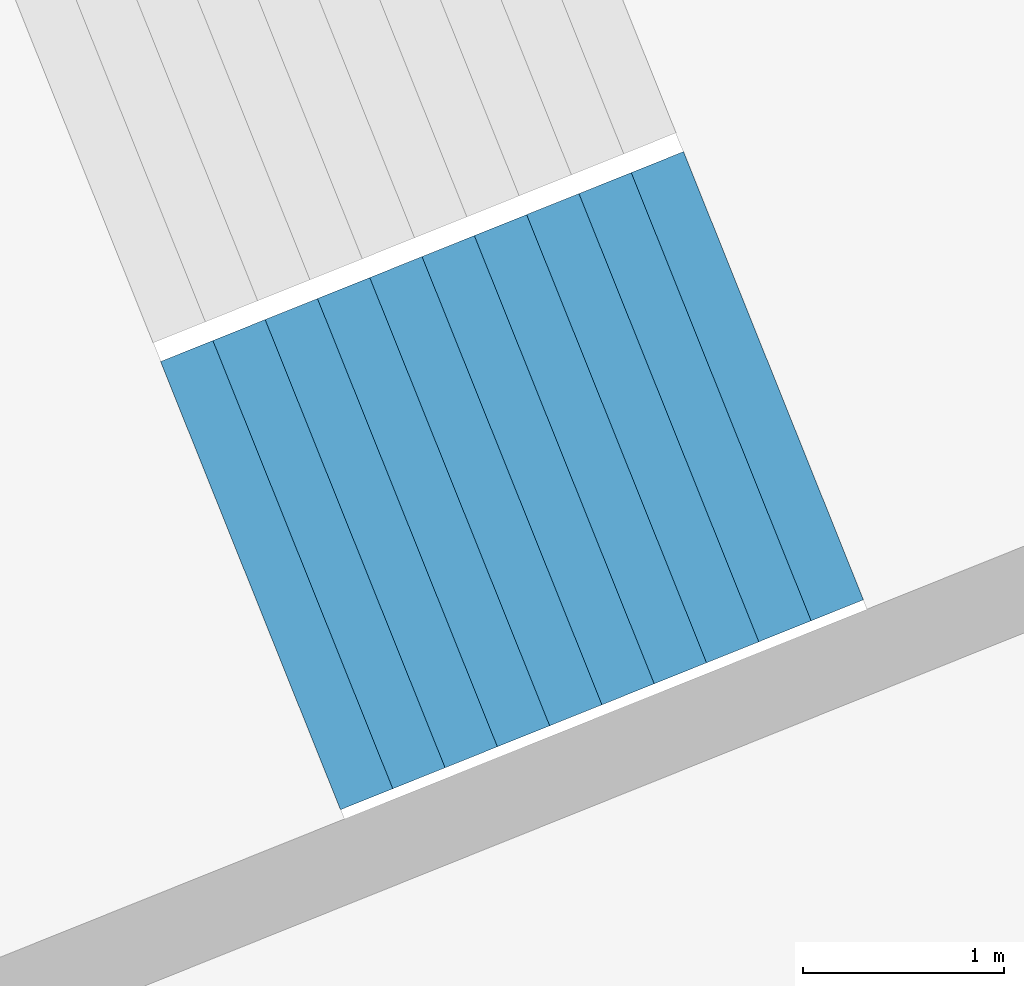
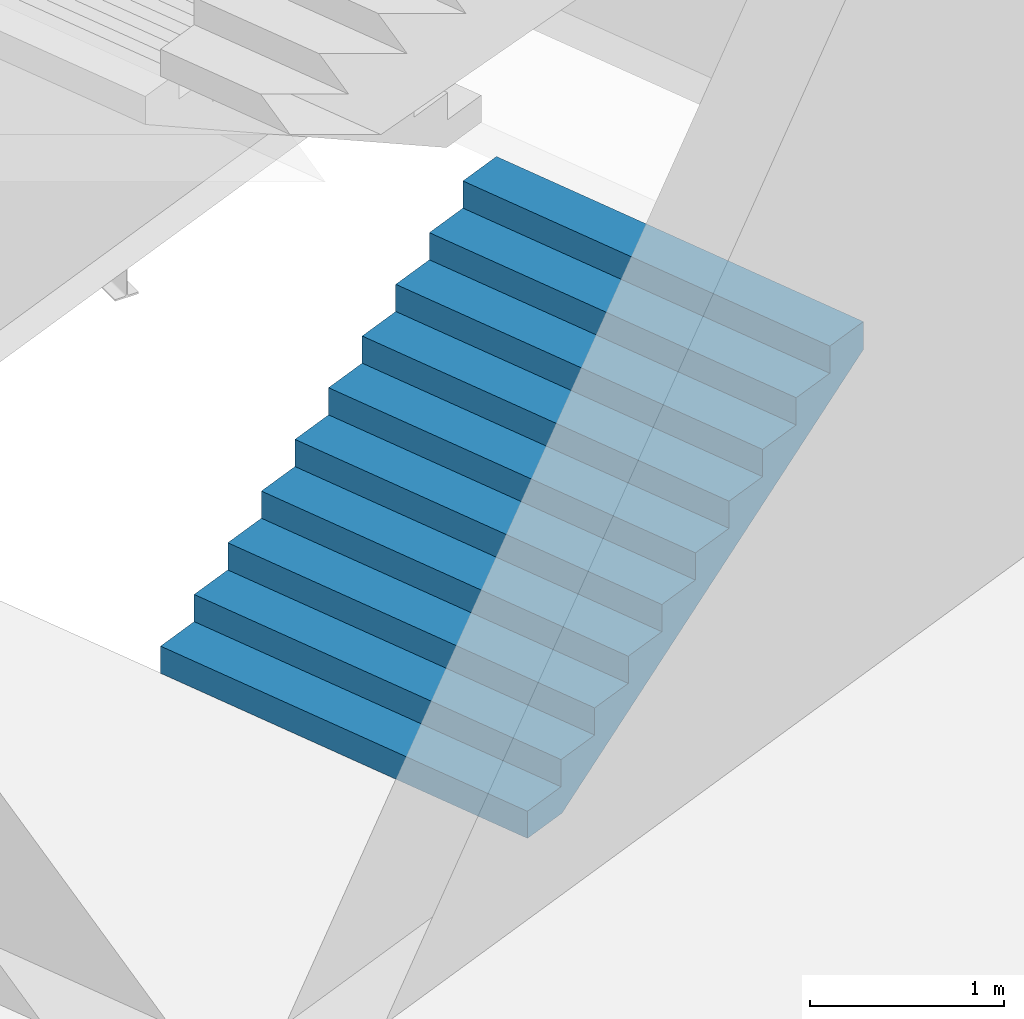
# One storey, part 65 of 73: 1 stair flight, 1 element without a shape of its own.
"""IFC4 building model written with IfcOpenShell, lengths in metres."""

from ifc_helpers import new_model, si_unit, direction, frame, origin, place, context, subcontext, project, spatial, triangles, material, type_object, element, aggregate, save


model = new_model("IFC4")

# Units and contexts
model_context = context("Model", 3, precision=1e-05, world=origin(), true_north=direction((0.0, 1.0)))
body_context = subcontext(model_context, "Body", "Model", "MODEL_VIEW")
ifc_project = project(units=[si_unit("LENGTHUNIT", "METRE"), si_unit("AREAUNIT", "SQUARE_METRE"), si_unit("VOLUMEUNIT", "CUBIC_METRE"), si_unit("PLANEANGLEUNIT", "RADIAN"), si_unit("MASSUNIT", "GRAM", prefix="KILO")], contexts=[model_context])

# Site, building, storey
site_placement = place(None, origin())
site = spatial("IfcSite", under=ifc_project, at=site_placement, CompositionType="ELEMENT")
building_placement = place(site_placement, origin())
building = spatial("IfcBuilding", under=site, at=building_placement, Name="Lantaw Convention Tower", CompositionType="ELEMENT")
storey_placement = place(building_placement, frame((0.0, 0.0, 14.5)))
storey = spatial("IfcBuildingStorey", under=building, at=storey_placement, Name="L02", CompositionType="ELEMENT", Elevation=14.5)

# Stair, stair flight
ifc_material = material(Name="Concrete C35/45", Category="concrete")
stair_type = type_object("IfcStairType", Name="Exit stair 2400 riser 170.45 in 4 flights", PredefinedType="HALF_TURN_STAIR", material=ifc_material)
stair_placement = place(storey_placement, origin())
stair = element("IfcStair", 1, at=stair_placement, inside=storey, type_object=stair_type, Name="Podium exit stair P2 L02", PredefinedType="HALF_TURN_STAIR")
stair_flight_type = type_object("IfcStairFlightType", Name="Stair flight 2400 riser 170.45", PredefinedType="STRAIGHT", material=ifc_material)
stair_flight_placement = place(storey_placement, frame((36.730712890625, 13.398193359375, 0.0), z_axis=(0.0, 0.0, 1.0), x_axis=(0.928015168305, 0.372542410198, 0.0)))
stair_flight = element("IfcStairFlight", 2, at=stair_flight_placement, type_object=stair_flight_type, Name="P2 flight 1", NumberOfRisers=11, NumberOfTreads=10, PredefinedType="STRAIGHT", RiserHeight=0.170454545, TreadLength=0.28, context=body_context, shape_type="Tessellation", body=[
    triangles([(0.0, 1.199951171875, 0.0), (0.0, 1.199951171875, 0.170454545), (0.28, 1.199951171875, 0.0), (0.28, 1.199951171875, 0.170454545), (0.28, 1.199951171875, 0.34090909), (0.28827876332691904, 1.199951171875, 0.0), (0.28827876332691904, 1.199951171875, 0.34090909), (0.56, 1.199951171875, 0.16541471344266906), (0.56, 1.199951171875, 0.34090909), (0.56, 1.199951171875, 0.511363635), (0.8400000000000001, 1.199951171875, 0.335869258442669), (0.8400000000000001, 1.199951171875, 0.511363635), (0.8400000000000001, 1.199951171875, 0.68181818), (1.12, 1.199951171875, 0.506323803442669), (1.12, 1.199951171875, 0.68181818), (1.12, 1.199951171875, 0.8522727250000001), (1.4000000000000001, 1.199951171875, 0.676778348442669), (1.4000000000000001, 1.199951171875, 0.8522727250000001), (1.4000000000000001, 1.199951171875, 1.02272727), (1.6800000000000002, 1.199951171875, 0.847232893442669), (1.6800000000000002, 1.199951171875, 1.02272727), (1.6800000000000002, 1.199951171875, 1.193181815), (1.9600000000000002, 1.199951171875, 1.017687438442669), (1.9600000000000002, 1.199951171875, 1.193181815), (1.9600000000000002, 1.199951171875, 1.36363636), (2.24, 1.199951171875, 1.188141983442669), (2.24, 1.199951171875, 1.36363636), (2.24, 1.199951171875, 1.5340909050000002), (2.5200000000000005, 1.199951171875, 1.358596528442669), (2.5200000000000005, 1.199951171875, 1.5340909050000002), (2.5200000000000005, 1.199951171875, 1.7045454500000001), (2.8000000000000003, 1.199951171875, 1.529051073442669), (2.8000000000000003, 1.199951171875, 1.7045454500000001), (0.0, -1.199951171875, 0.0), (0.0, -1.199951171875, 0.170454545), (0.28, -1.199951171875, 0.0), (0.28, -1.199951171875, 0.170454545), (0.28, -1.199951171875, 0.34090909), (0.28827876332691904, -1.199951171875, 0.0), (0.28827876332691904, -1.199951171875, 0.34090909), (0.56, -1.199951171875, 0.16541471344266906), (0.56, -1.199951171875, 0.34090909), (0.56, -1.199951171875, 0.511363635), (0.8400000000000001, -1.199951171875, 0.335869258442669), (0.8400000000000001, -1.199951171875, 0.511363635), (0.8400000000000001, -1.199951171875, 0.68181818), (1.12, -1.199951171875, 0.506323803442669), (1.12, -1.199951171875, 0.68181818), (1.12, -1.199951171875, 0.8522727250000001), (1.4000000000000001, -1.199951171875, 0.676778348442669), (1.4000000000000001, -1.199951171875, 0.8522727250000001), (1.4000000000000001, -1.199951171875, 1.02272727), (1.6800000000000002, -1.199951171875, 0.847232893442669), (1.6800000000000002, -1.199951171875, 1.02272727), (1.6800000000000002, -1.199951171875, 1.193181815), (1.9600000000000002, -1.199951171875, 1.017687438442669), (1.9600000000000002, -1.199951171875, 1.193181815), (1.9600000000000002, -1.199951171875, 1.36363636), (2.24, -1.199951171875, 1.188141983442669), (2.24, -1.199951171875, 1.36363636), (2.24, -1.199951171875, 1.5340909050000002), (2.5200000000000005, -1.199951171875, 1.358596528442669), (2.5200000000000005, -1.199951171875, 1.5340909050000002), (2.5200000000000005, -1.199951171875, 1.7045454500000001), (2.8000000000000003, -1.199951171875, 1.529051073442669), (2.8000000000000003, -1.199951171875, 1.7045454500000001), (0.0, 0.239990234375, 0.170454545), (0.0, 0.239990234375, 0.0), (0.0, 0.1199951171875, 0.170454545), (0.0, 0.1199951171875, 0.0), (0.0, 0.0, 0.170454545), (0.0, 0.0, 0.0), (0.0, -0.1199951171875, 0.170454545), (0.0, -0.1199951171875, 0.0), (0.0, -0.239990234375, 0.170454545), (0.0, -0.239990234375, 0.0), (0.28, 0.239990234375, 0.34090909), (0.28, 0.239990234375, 0.170454545), (0.28, 0.1199951171875, 0.34090909), (0.28, 0.1199951171875, 0.170454545), (0.28, 0.0, 0.34090909), (0.28, 0.0, 0.170454545), (0.28, -0.1199951171875, 0.34090909), (0.28, -0.1199951171875, 0.170454545), (0.28, -0.239990234375, 0.34090909), (0.28, -0.239990234375, 0.170454545), (0.56, 0.239990234375, 0.511363635), (0.56, 0.239990234375, 0.34090909), (0.56, 0.1199951171875, 0.511363635), (0.56, 0.1199951171875, 0.34090909), (0.56, 0.0, 0.511363635), (0.56, 0.0, 0.34090909), (0.56, -0.1199951171875, 0.511363635), (0.56, -0.1199951171875, 0.34090909), (0.56, -0.239990234375, 0.511363635), (0.56, -0.239990234375, 0.34090909), (0.8400000000000001, 0.239990234375, 0.68181818), (0.8400000000000001, 0.239990234375, 0.511363635), (0.8400000000000001, 0.1199951171875, 0.68181818), (0.8400000000000001, 0.1199951171875, 0.511363635), (0.8400000000000001, 0.0, 0.68181818), (0.8400000000000001, 0.0, 0.511363635), (0.8400000000000001, -0.1199951171875, 0.68181818), (0.8400000000000001, -0.1199951171875, 0.511363635), (0.8400000000000001, -0.239990234375, 0.68181818), (0.8400000000000001, -0.239990234375, 0.511363635), (1.12, 0.239990234375, 0.8522727250000001), (1.12, 0.239990234375, 0.68181818), (1.12, 0.1199951171875, 0.8522727250000001), (1.12, 0.1199951171875, 0.68181818), (1.12, 0.0, 0.8522727250000001), (1.12, 0.0, 0.68181818), (1.12, -0.1199951171875, 0.8522727250000001), (1.12, -0.1199951171875, 0.68181818), (1.12, -0.239990234375, 0.8522727250000001), (1.12, -0.239990234375, 0.68181818), (1.4000000000000001, 0.239990234375, 1.02272727), (1.4000000000000001, 0.239990234375, 0.8522727250000001), (1.4000000000000001, 0.1199951171875, 1.02272727), (1.4000000000000001, 0.1199951171875, 0.8522727250000001), (1.4000000000000001, 0.0, 1.02272727), (1.4000000000000001, 0.0, 0.8522727250000001), (1.4000000000000001, -0.1199951171875, 1.02272727), (1.4000000000000001, -0.1199951171875, 0.8522727250000001), (1.4000000000000001, -0.239990234375, 1.02272727), (1.4000000000000001, -0.239990234375, 0.8522727250000001), (1.6800000000000002, 0.239990234375, 1.193181815), (1.6800000000000002, 0.239990234375, 1.02272727), (1.6800000000000002, 0.1199951171875, 1.193181815), (1.6800000000000002, 0.1199951171875, 1.02272727), (1.6800000000000002, 0.0, 1.193181815), (1.6800000000000002, 0.0, 1.02272727), (1.6800000000000002, -0.1199951171875, 1.193181815), (1.6800000000000002, -0.1199951171875, 1.02272727), (1.6800000000000002, -0.239990234375, 1.193181815), (1.6800000000000002, -0.239990234375, 1.02272727), (1.9600000000000002, 0.239990234375, 1.36363636), (1.9600000000000002, 0.239990234375, 1.193181815), (1.9600000000000002, 0.1199951171875, 1.36363636), (1.9600000000000002, 0.1199951171875, 1.193181815), (1.9600000000000002, 0.0, 1.36363636), (1.9600000000000002, 0.0, 1.193181815), (1.9600000000000002, -0.1199951171875, 1.36363636), (1.9600000000000002, -0.1199951171875, 1.193181815), (1.9600000000000002, -0.239990234375, 1.36363636), (1.9600000000000002, -0.239990234375, 1.193181815), (2.24, 0.239990234375, 1.5340909050000002), (2.24, 0.239990234375, 1.36363636), (2.24, 0.1199951171875, 1.5340909050000002), (2.24, 0.1199951171875, 1.36363636), (2.24, 0.0, 1.5340909050000002), (2.24, 0.0, 1.36363636), (2.24, -0.1199951171875, 1.5340909050000002), (2.24, -0.1199951171875, 1.36363636), (2.24, -0.239990234375, 1.5340909050000002), (2.24, -0.239990234375, 1.36363636), (2.5200000000000005, 0.239990234375, 1.7045454500000001), (2.5200000000000005, 0.239990234375, 1.5340909050000002), (2.5200000000000005, 0.1199951171875, 1.7045454500000001), (2.5200000000000005, 0.1199951171875, 1.5340909050000002), (2.5200000000000005, 0.0, 1.7045454500000001), (2.5200000000000005, 0.0, 1.5340909050000002), (2.5200000000000005, -0.1199951171875, 1.7045454500000001), (2.5200000000000005, -0.1199951171875, 1.5340909050000002), (2.5200000000000005, -0.239990234375, 1.7045454500000001), (2.5200000000000005, -0.239990234375, 1.5340909050000002), (0.28827876332691904, 0.239990234375, 0.34090909), (0.28827876332691904, 0.1199951171875, 0.34090909), (0.28827876332691904, 0.0, 0.34090909), (0.28827876332691904, -0.1199951171875, 0.34090909), (0.28827876332691904, -0.239990234375, 0.34090909), (2.8000000000000003, 0.239990234375, 1.7045454500000001), (2.8000000000000003, 0.1199951171875, 1.7045454500000001), (2.8000000000000003, 0.0, 1.7045454500000001), (2.8000000000000003, -0.1199951171875, 1.7045454500000001), (2.8000000000000003, -0.239990234375, 1.7045454500000001), (2.8000000000000003, 0.239990234375, 1.5290510734426692), (2.8000000000000003, 0.1199951171875, 1.5290510734426692), (2.8000000000000003, 0.0, 1.5290510734426692), (2.8000000000000003, -0.1199951171875, 1.5290510734426692), (2.8000000000000003, -0.239990234375, 1.5290510734426692), (2.5200000000000005, 0.239990234375, 1.358596528442669), (2.5200000000000005, 0.1199951171875, 1.358596528442669), (2.5200000000000005, 0.0, 1.358596528442669), (2.5200000000000005, -0.1199951171875, 1.358596528442669), (2.5200000000000005, -0.239990234375, 1.358596528442669), (2.24, 0.239990234375, 1.188141983442669), (2.24, 0.1199951171875, 1.188141983442669), (2.24, 0.0, 1.188141983442669), (2.24, -0.1199951171875, 1.188141983442669), (2.24, -0.239990234375, 1.188141983442669), (1.9600000000000002, 0.239990234375, 1.017687438442669), (1.9600000000000002, 0.1199951171875, 1.017687438442669), (1.9600000000000002, 0.0, 1.017687438442669), (1.9600000000000002, -0.1199951171875, 1.017687438442669), (1.9600000000000002, -0.239990234375, 1.017687438442669), (1.6800000000000002, 0.239990234375, 0.847232893442669), (1.6800000000000002, 0.1199951171875, 0.847232893442669), (1.6800000000000002, 0.0, 0.847232893442669), (1.6800000000000002, -0.1199951171875, 0.847232893442669), (1.6800000000000002, -0.239990234375, 0.847232893442669), (1.4000000000000001, 0.239990234375, 0.676778348442669), (1.4000000000000001, 0.1199951171875, 0.676778348442669), (1.4000000000000001, 0.0, 0.676778348442669), (1.4000000000000001, -0.1199951171875, 0.676778348442669), (1.4000000000000001, -0.239990234375, 0.676778348442669), (1.12, 0.239990234375, 0.506323803442669), (1.12, 0.1199951171875, 0.506323803442669), (1.12, 0.0, 0.506323803442669), (1.12, -0.1199951171875, 0.506323803442669), (1.12, -0.239990234375, 0.506323803442669), (0.8400000000000001, 0.239990234375, 0.335869258442669), (0.8400000000000001, 0.1199951171875, 0.335869258442669), (0.8400000000000001, 0.0, 0.335869258442669), (0.8400000000000001, -0.1199951171875, 0.335869258442669), (0.8400000000000001, -0.239990234375, 0.335869258442669), (0.56, 0.239990234375, 0.16541471344266906), (0.56, 0.1199951171875, 0.16541471344266906), (0.56, 0.0, 0.16541471344266906), (0.56, -0.1199951171875, 0.16541471344266906), (0.56, -0.239990234375, 0.16541471344266906), (0.28827876332691904, 0.239990234375, 0.0), (0.28827876332691904, 0.1199951171875, 0.0), (0.28827876332691904, 0.0, 0.0), (0.28827876332691904, -0.1199951171875, 0.0), (0.28827876332691904, -0.239990234375, 0.0), (0.28, 0.239990234375, 0.0), (0.28, 0.1199951171875, 0.0), (0.28, 0.0, 0.0), (0.28, -0.1199951171875, 0.0), (0.28, -0.239990234375, 0.0)], [[1, 4, 3], [1, 2, 4], [3, 4, 6], [4, 7, 6], [4, 5, 7], [6, 9, 8], [6, 7, 9], [8, 9, 11], [9, 12, 11], [9, 10, 12], [11, 12, 14], [12, 15, 14], [12, 13, 15], [14, 15, 17], [15, 18, 17], [15, 16, 18], [17, 18, 20], [18, 21, 20], [18, 19, 21], [20, 21, 23], [21, 24, 23], [21, 22, 24], [23, 24, 26], [24, 27, 26], [24, 25, 27], [26, 27, 29], [27, 30, 29], [27, 28, 30], [29, 30, 32], [30, 33, 32], [30, 31, 33], [34, 36, 37], [34, 37, 35], [36, 39, 37], [37, 39, 40], [37, 40, 38], [39, 41, 42], [39, 42, 40], [41, 44, 42], [42, 44, 45], [42, 45, 43], [44, 47, 45], [45, 47, 48], [45, 48, 46], [47, 50, 48], [48, 50, 51], [48, 51, 49], [50, 53, 51], [51, 53, 54], [51, 54, 52], [53, 56, 54], [54, 56, 57], [54, 57, 55], [56, 59, 57], [57, 59, 60], [57, 60, 58], [59, 62, 60], [60, 62, 63], [60, 63, 61], [62, 65, 63], [63, 65, 66], [63, 66, 64], [1, 67, 2], [1, 68, 67], [68, 69, 67], [68, 70, 69], [70, 71, 69], [70, 72, 71], [72, 73, 71], [72, 74, 73], [74, 75, 73], [74, 76, 75], [76, 35, 75], [76, 34, 35], [4, 77, 5], [4, 78, 77], [78, 79, 77], [78, 80, 79], [80, 81, 79], [80, 82, 81], [82, 83, 81], [82, 84, 83], [84, 85, 83], [84, 86, 85], [86, 38, 85], [86, 37, 38], [9, 87, 10], [9, 88, 87], [88, 89, 87], [88, 90, 89], [90, 91, 89], [90, 92, 91], [92, 93, 91], [92, 94, 93], [94, 95, 93], [94, 96, 95], [96, 43, 95], [96, 42, 43], [12, 97, 13], [12, 98, 97], [98, 99, 97], [98, 100, 99], [100, 101, 99], [100, 102, 101], [102, 103, 101], [102, 104, 103], [104, 105, 103], [104, 106, 105], [106, 46, 105], [106, 45, 46], [15, 107, 16], [15, 108, 107], [108, 109, 107], [108, 110, 109], [110, 111, 109], [110, 112, 111], [112, 113, 111], [112, 114, 113], [114, 115, 113], [114, 116, 115], [116, 49, 115], [116, 48, 49], [18, 117, 19], [18, 118, 117], [118, 119, 117], [118, 120, 119], [120, 121, 119], [120, 122, 121], [122, 123, 121], [122, 124, 123], [124, 125, 123], [124, 126, 125], [126, 52, 125], [126, 51, 52], [21, 127, 22], [21, 128, 127], [128, 129, 127], [128, 130, 129], [130, 131, 129], [130, 132, 131], [132, 133, 131], [132, 134, 133], [134, 135, 133], [134, 136, 135], [136, 55, 135], [136, 54, 55], [24, 137, 25], [24, 138, 137], [138, 139, 137], [138, 140, 139], [140, 141, 139], [140, 142, 141], [142, 143, 141], [142, 144, 143], [144, 145, 143], [144, 146, 145], [146, 58, 145], [146, 57, 58], [27, 147, 28], [27, 148, 147], [148, 149, 147], [148, 150, 149], [150, 151, 149], [150, 152, 151], [152, 153, 151], [152, 154, 153], [154, 155, 153], [154, 156, 155], [156, 61, 155], [156, 60, 61], [30, 157, 31], [30, 158, 157], [158, 159, 157], [158, 160, 159], [160, 161, 159], [160, 162, 161], [162, 163, 161], [162, 164, 163], [164, 165, 163], [164, 166, 165], [166, 64, 165], [166, 63, 64], [2, 78, 4], [2, 67, 78], [67, 80, 78], [67, 69, 80], [69, 82, 80], [69, 71, 82], [71, 84, 82], [71, 73, 84], [73, 86, 84], [73, 75, 86], [75, 37, 86], [75, 35, 37], [5, 167, 7], [5, 77, 167], [77, 168, 167], [77, 79, 168], [79, 169, 168], [79, 81, 169], [81, 170, 169], [81, 83, 170], [83, 171, 170], [83, 85, 171], [85, 40, 171], [85, 38, 40], [7, 88, 9], [7, 167, 88], [167, 90, 88], [167, 168, 90], [168, 92, 90], [168, 169, 92], [169, 94, 92], [169, 170, 94], [170, 96, 94], [170, 171, 96], [171, 42, 96], [171, 40, 42], [10, 98, 12], [10, 87, 98], [87, 100, 98], [87, 89, 100], [89, 102, 100], [89, 91, 102], [91, 104, 102], [91, 93, 104], [93, 106, 104], [93, 95, 106], [95, 45, 106], [95, 43, 45], [13, 108, 15], [13, 97, 108], [97, 110, 108], [97, 99, 110], [99, 112, 110], [99, 101, 112], [101, 114, 112], [101, 103, 114], [103, 116, 114], [103, 105, 116], [105, 48, 116], [105, 46, 48], [16, 118, 18], [16, 107, 118], [107, 120, 118], [107, 109, 120], [109, 122, 120], [109, 111, 122], [111, 124, 122], [111, 113, 124], [113, 126, 124], [113, 115, 126], [115, 51, 126], [115, 49, 51], [19, 128, 21], [19, 117, 128], [117, 130, 128], [117, 119, 130], [119, 132, 130], [119, 121, 132], [121, 134, 132], [121, 123, 134], [123, 136, 134], [123, 125, 136], [125, 54, 136], [125, 52, 54], [22, 138, 24], [22, 127, 138], [127, 140, 138], [127, 129, 140], [129, 142, 140], [129, 131, 142], [131, 144, 142], [131, 133, 144], [133, 146, 144], [133, 135, 146], [135, 57, 146], [135, 55, 57], [25, 148, 27], [25, 137, 148], [137, 150, 148], [137, 139, 150], [139, 152, 150], [139, 141, 152], [141, 154, 152], [141, 143, 154], [143, 156, 154], [143, 145, 156], [145, 60, 156], [145, 58, 60], [28, 158, 30], [28, 147, 158], [147, 160, 158], [147, 149, 160], [149, 162, 160], [149, 151, 162], [151, 164, 162], [151, 153, 164], [153, 166, 164], [153, 155, 166], [155, 63, 166], [155, 61, 63], [31, 172, 33], [31, 157, 172], [157, 173, 172], [157, 159, 173], [159, 174, 173], [159, 161, 174], [161, 175, 174], [161, 163, 175], [163, 176, 175], [163, 165, 176], [165, 66, 176], [165, 64, 66], [33, 177, 32], [33, 172, 177], [172, 178, 177], [172, 173, 178], [173, 179, 178], [173, 174, 179], [174, 180, 179], [174, 175, 180], [175, 181, 180], [175, 176, 181], [176, 65, 181], [176, 66, 65], [32, 182, 29], [32, 177, 182], [177, 183, 182], [177, 178, 183], [178, 184, 183], [178, 179, 184], [179, 185, 184], [179, 180, 185], [180, 186, 185], [180, 181, 186], [181, 62, 186], [181, 65, 62], [29, 187, 26], [29, 182, 187], [182, 188, 187], [182, 183, 188], [183, 189, 188], [183, 184, 189], [184, 190, 189], [184, 185, 190], [185, 191, 190], [185, 186, 191], [186, 59, 191], [186, 62, 59], [26, 192, 23], [26, 187, 192], [187, 193, 192], [187, 188, 193], [188, 194, 193], [188, 189, 194], [189, 195, 194], [189, 190, 195], [190, 196, 195], [190, 191, 196], [191, 56, 196], [191, 59, 56], [23, 197, 20], [23, 192, 197], [192, 198, 197], [192, 193, 198], [193, 199, 198], [193, 194, 199], [194, 200, 199], [194, 195, 200], [195, 201, 200], [195, 196, 201], [196, 53, 201], [196, 56, 53], [20, 202, 17], [20, 197, 202], [197, 203, 202], [197, 198, 203], [198, 204, 203], [198, 199, 204], [199, 205, 204], [199, 200, 205], [200, 206, 205], [200, 201, 206], [201, 50, 206], [201, 53, 50], [17, 207, 14], [17, 202, 207], [202, 208, 207], [202, 203, 208], [203, 209, 208], [203, 204, 209], [204, 210, 209], [204, 205, 210], [205, 211, 210], [205, 206, 211], [206, 47, 211], [206, 50, 47], [14, 212, 11], [14, 207, 212], [207, 213, 212], [207, 208, 213], [208, 214, 213], [208, 209, 214], [209, 215, 214], [209, 210, 215], [210, 216, 215], [210, 211, 216], [211, 44, 216], [211, 47, 44], [11, 217, 8], [11, 212, 217], [212, 218, 217], [212, 213, 218], [213, 219, 218], [213, 214, 219], [214, 220, 219], [214, 215, 220], [215, 221, 220], [215, 216, 221], [216, 41, 221], [216, 44, 41], [8, 222, 6], [8, 217, 222], [217, 223, 222], [217, 218, 223], [218, 224, 223], [218, 219, 224], [219, 225, 224], [219, 220, 225], [220, 226, 225], [220, 221, 226], [221, 39, 226], [221, 41, 39], [6, 227, 3], [6, 222, 227], [222, 228, 227], [222, 223, 228], [223, 229, 228], [223, 224, 229], [224, 230, 229], [224, 225, 230], [225, 231, 230], [225, 226, 231], [226, 36, 231], [226, 39, 36], [3, 68, 1], [3, 227, 68], [227, 70, 68], [227, 228, 70], [228, 72, 70], [228, 229, 72], [229, 74, 72], [229, 230, 74], [230, 76, 74], [230, 231, 76], [231, 34, 76], [231, 36, 34]], closed=True),
])
aggregate(stair, [stair_flight])

save(model, "model.ifc")
